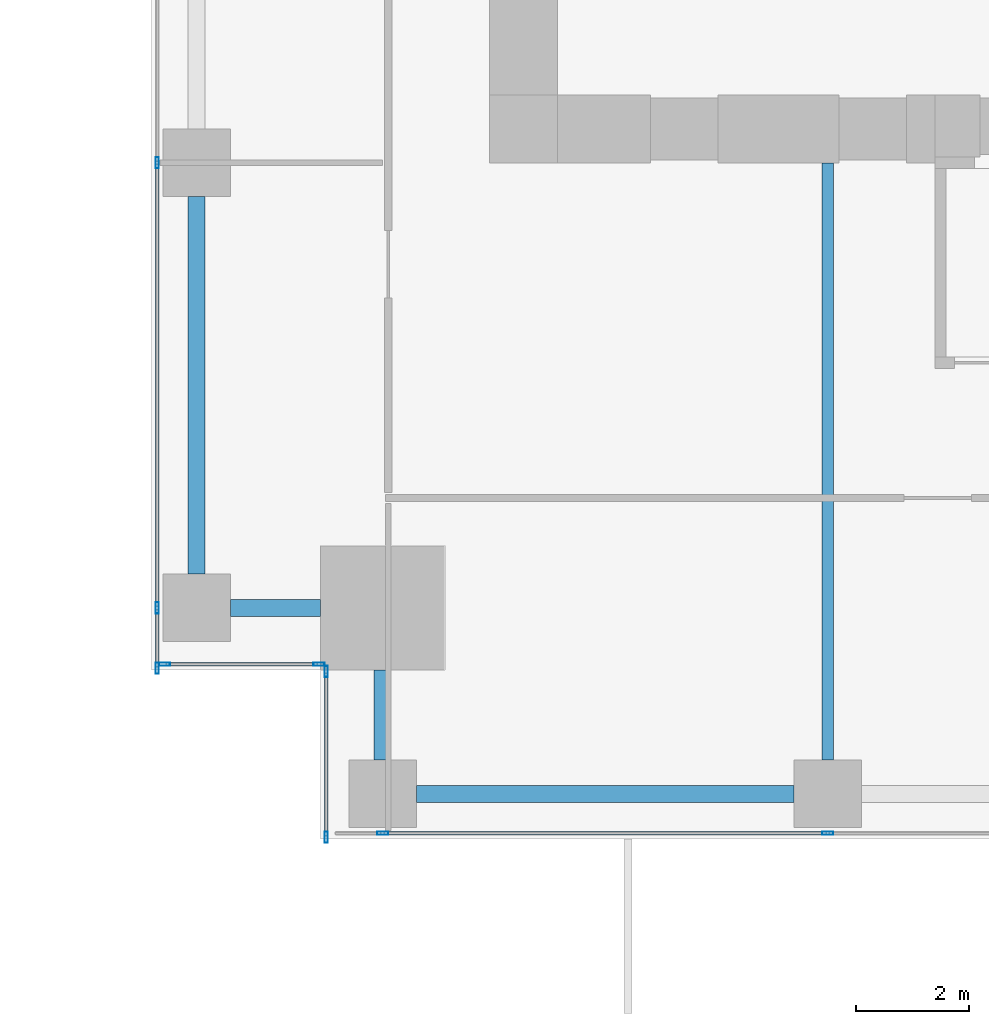
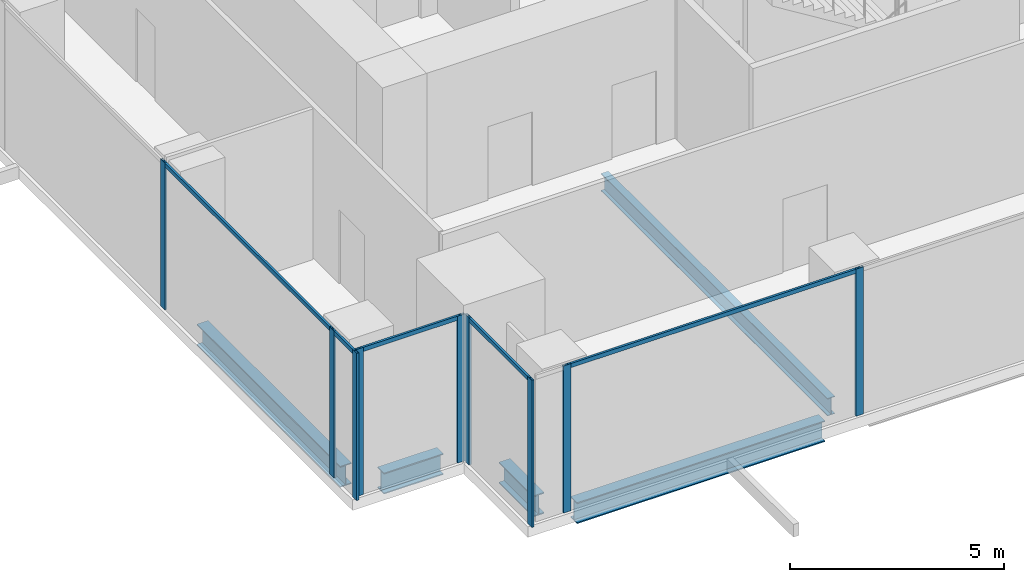
# One storey, part 2 of 33: 14 members, 5 beams, 4 elements without a shape of their own.
"""IFC4 building model written with IfcOpenShell, lengths in metres."""

from ifc_helpers import new_model, si_unit, direction, frame, origin, origin_2d, place, context, subcontext, project, spatial, hollow_rectangle, i_section, extrude, source, transform, mapped, material, material_profile, profile_set, type_object, element, aggregate, save


model = new_model("IFC4")

# Units and contexts
model_context = context("Model", 3, precision=1e-05, world=origin(), true_north=direction((0.0, 1.0)))
body_context = subcontext(model_context, "Body", "Model", "MODEL_VIEW")
ifc_project = project(units=[si_unit("LENGTHUNIT", "METRE"), si_unit("AREAUNIT", "SQUARE_METRE"), si_unit("VOLUMEUNIT", "CUBIC_METRE"), si_unit("PLANEANGLEUNIT", "RADIAN"), si_unit("MASSUNIT", "GRAM", prefix="KILO")], contexts=[model_context])

# Site, building, storey
site_placement = place(None, origin())
site = spatial("IfcSite", under=ifc_project, at=site_placement, CompositionType="ELEMENT")
building_placement = place(site_placement, origin())
building = spatial("IfcBuilding", under=site, at=building_placement, Name="Khomas Fold Tower", CompositionType="ELEMENT")
storey_placement = place(building_placement, frame((0.0, 0.0, 82.5)))
storey = spatial("IfcBuildingStorey", under=building, at=storey_placement, Name="L17", CompositionType="ELEMENT", Elevation=82.5)

# Beams
ifc_material_1 = material(Name="Steel S355", Category="steel")
ifc_material_profile_1 = material_profile(ifc_material_1, i_section(OverallWidth=0.199951171875, OverallDepth=0.5, WebThickness=0.01025390625, FlangeThickness=0.01611328125, at=origin_2d()), Name="IPE 500")
ifc_profile_set_1 = profile_set([ifc_material_profile_1], Name="Steel S355")
beam_type_1 = type_object("IfcBeamType", Name="IPE 500 beam JB5", PredefinedType="BEAM", material=ifc_profile_set_1)
shared_shape_1 = source(origin(), body_context, "Body", "SweptSolid", [
    extrude(i_section(OverallWidth=0.199951171875, OverallDepth=0.5, WebThickness=0.01025390625, FlangeThickness=0.01611328125, at=origin_2d()), origin(), (0.0, 0.0, 1.0), 10.60009765625),
])
beam_placement = place(storey_placement, frame((12.0, 1.39990234375, -0.550048828125), z_axis=(0.0, 1.0, 0.0), x_axis=(-1.0, 0.0, 0.0)))
element("IfcBeam", 1, at=beam_placement, inside=storey, type_object=beam_type_1, Name="JB5", PredefinedType="BEAM", context=body_context, shape_type="MappedRepresentation", body=[
    mapped(shared_shape_1, transform((0.0, 0.0, 0.0))),
])
ifc_material_2 = material(Name="Steel S355", Category="steel")
ifc_material_profile_2 = material_profile(ifc_material_2, i_section(OverallWidth=0.300048828125, OverallDepth=0.60009765625, WebThickness=0.015380859375, FlangeThickness=0.030029296875, at=origin_2d()), Name="HE 600 B")
ifc_profile_set_2 = profile_set([ifc_material_profile_2], Name="Steel S355")
beam_type_2 = type_object("IfcBeamType", Name="HE 600 B spandrel SB1", PredefinedType="SPANDREL", material=ifc_profile_set_2)
shared_shape_2 = source(origin(), body_context, "Body", "SweptSolid", [
    extrude(i_section(OverallWidth=0.300048828125, OverallDepth=0.60009765625, WebThickness=0.015380859375, FlangeThickness=0.030029296875, at=origin_2d()), origin(), (0.0, 0.0, 1.0), 6.699951171875),
])
for number, where, z_axis, x_axis, name in (
    (2, (4.699951171875, 0.800048828125, -0.60009765625), (1.0, 0.0, 0.0), (0.0, 1.0, 0.0), "SB1"),
    (3, (0.800048828125, 4.699951171875, -0.60009765625), (0.0, 1.0, 0.0), (-1.0, 0.0, 0.0), "SB1"),
):
    element("IfcBeam", number, at=place(storey_placement, frame(where, z_axis=z_axis, x_axis=x_axis)), inside=storey, type_object=beam_type_2, Name=name, PredefinedType="SPANDREL", context=body_context, shape_type="MappedRepresentation", body=[
        mapped(shared_shape_2, transform((0.0, 0.0, 0.0))),
    ])
shared_shape_3 = source(origin(), body_context, "Body", "SweptSolid", [
    extrude(i_section(OverallWidth=0.300048828125, OverallDepth=0.60009765625, WebThickness=0.015380859375, FlangeThickness=0.030029296875, at=origin_2d()), origin(), (0.0, 0.0, 1.0), 1.60009765625),
])
for number, where, z_axis, x_axis, name in (
    (4, (1.39990234375, 4.10009765625, -0.60009765625), (1.0, 0.0, 0.0), (0.0, 1.0, 0.0), "SB1"),
    (5, (4.10009765625, 1.39990234375, -0.60009765625), (0.0, 1.0, 0.0), (-1.0, 0.0, 0.0), "SB1"),
):
    element("IfcBeam", number, at=place(storey_placement, frame(where, z_axis=z_axis, x_axis=x_axis)), inside=storey, type_object=beam_type_2, Name=name, PredefinedType="SPANDREL", context=body_context, shape_type="MappedRepresentation", body=[
        mapped(shared_shape_3, transform((0.0, 0.0, 0.0))),
    ])

# Curtain wall, member
ifc_material_3 = material(Name="Aluminium framed double glazing", Category="aluminium")
curtain_wall_type = type_object("IfcCurtainWallType", Name="SK-Unitised clear-glass wall, growing floors CW1", PredefinedType="NOTDEFINED", material=ifc_material_3)
curtain_wall_1_placement = place(storey_placement, origin())
curtain_wall_1 = element("IfcCurtainWall", 6, at=curtain_wall_1_placement, inside=storey, type_object=curtain_wall_type, Name="CW1 run L17 00-0", PredefinedType="NOTDEFINED")
ifc_material_4 = material(Name="Aluminium", Category="aluminium")
ifc_material_profile_3 = material_profile(ifc_material_4, hollow_rectangle(XDim=0.06005859375, YDim=0.1201171875, WallThickness=0.00390625, at=origin_2d()), Name="SK-Unitised clear-glass wall, growing floors transom CW1-T")
ifc_profile_set_3 = profile_set([ifc_material_profile_3], Name="Aluminium")
member_type_1 = type_object("IfcMemberType", Name="SK-Unitised clear-glass wall, growing floors transom CW1-T", PredefinedType="USERDEFINED", material=ifc_profile_set_3)
shared_shape_4 = source(origin(), body_context, "Body", "SweptSolid", [
    extrude(hollow_rectangle(XDim=0.06005859375, YDim=0.1201171875, WallThickness=0.00390625, at=origin_2d()), origin(), (0.0, 0.0, 1.0), 7.840087890625),
])
member_1_placement = place(storey_placement, frame((4.1298828125, 0.10009765625, 4.139892578125), z_axis=(1.0, 0.0, 0.0), x_axis=(0.0, 1.0, 0.0)))
member_1 = element("IfcMember", 7, at=member_1_placement, type_object=member_type_1, Name="CW1 transom 2", ObjectType="TRANSOM", PredefinedType="USERDEFINED", context=body_context, shape_type="MappedRepresentation", body=[
    mapped(shared_shape_4, transform((0.0, 0.0, 0.0))),
])

# Curtain wall, members
curtain_wall_2_placement = place(storey_placement, origin())
curtain_wall_2 = element("IfcCurtainWall", 8, at=curtain_wall_2_placement, inside=storey, type_object=curtain_wall_type, Name="CW1 run L17 09-0", PredefinedType="NOTDEFINED")
member_2_placement = place(storey_placement, frame((0.10009765625, 11.969970703125, 4.139892578125), z_axis=(0.0, -1.0, 0.0), x_axis=(1.0, 0.0, 0.0)))
member_2 = element("IfcMember", 9, at=member_2_placement, type_object=member_type_1, Name="CW1 transom 7", ObjectType="TRANSOM", PredefinedType="USERDEFINED", context=body_context, shape_type="MappedRepresentation", body=[
    mapped(shared_shape_4, transform((0.0, 0.0, 0.0))),
])
shared_shape_5 = source(origin(), body_context, "Body", "SweptSolid", [
    extrude(hollow_rectangle(XDim=0.06005859375, YDim=0.1201171875, WallThickness=0.00390625, at=origin_2d()), origin(), (0.0, 0.0, 1.0), 1.010009765625),
])
member_3_placement = place(storey_placement, frame((0.10009765625, 4.070068359375, 4.139892578125), z_axis=(0.0, -1.0, 0.0), x_axis=(1.0, 0.0, 0.0)))
member_3 = element("IfcMember", 10, at=member_3_placement, type_object=member_type_1, Name="CW1 transom 8", ObjectType="TRANSOM", PredefinedType="USERDEFINED", context=body_context, shape_type="MappedRepresentation", body=[
    mapped(shared_shape_5, transform((0.0, 0.0, 0.0))),
])

# Curtain wall, member
curtain_wall_3_placement = place(storey_placement, origin())
curtain_wall_3 = element("IfcCurtainWall", 11, at=curtain_wall_3_placement, inside=storey, type_object=curtain_wall_type, Name="CW1 corner return L17 10", PredefinedType="NOTDEFINED")
shared_shape_6 = source(origin(), body_context, "Body", "SweptSolid", [
    extrude(hollow_rectangle(XDim=0.06005859375, YDim=0.1201171875, WallThickness=0.00390625, at=origin_2d()), origin(), (0.0, 0.0, 1.0), 2.679931640625),
])
member_4_placement = place(storey_placement, frame((0.260009765625, 3.10009765625, 4.139892578125), z_axis=(1.0, 0.0, 0.0), x_axis=(0.0, 1.0, 0.0)))
member_4 = element("IfcMember", 12, at=member_4_placement, type_object=member_type_1, Name="CW1 transom 1", ObjectType="TRANSOM", PredefinedType="USERDEFINED", context=body_context, shape_type="MappedRepresentation", body=[
    mapped(shared_shape_6, transform((0.0, 0.0, 0.0))),
])

curtain_wall_4_placement = place(storey_placement, origin())
curtain_wall_4 = element("IfcCurtainWall", 13, at=curtain_wall_4_placement, inside=storey, type_object=curtain_wall_type, Name="CW1 corner return L17 11", PredefinedType="NOTDEFINED")
shared_shape_7 = source(origin(), body_context, "Body", "SweptSolid", [
    extrude(hollow_rectangle(XDim=0.06005859375, YDim=0.1201171875, WallThickness=0.00390625, at=origin_2d()), origin(), (0.0, 0.0, 1.0), 2.8798828125),
])
member_5_placement = place(storey_placement, frame((3.10009765625, 2.93994140625, 4.139892578125), z_axis=(0.0, -1.0, 0.0), x_axis=(1.0, 0.0, 0.0)))
member_5 = element("IfcMember", 14, at=member_5_placement, type_object=member_type_1, Name="CW1 transom 1", ObjectType="TRANSOM", PredefinedType="USERDEFINED", context=body_context, shape_type="MappedRepresentation", body=[
    mapped(shared_shape_7, transform((0.0, 0.0, 0.0))),
])

# Member
ifc_material_5 = material(Name="Aluminium", Category="aluminium")
ifc_material_profile_4 = material_profile(ifc_material_5, hollow_rectangle(XDim=0.06005859375, YDim=0.199951171875, WallThickness=0.00390625, at=origin_2d()), Name="SK-Unitised clear-glass wall, growing floors mullion CW1-M")
ifc_profile_set_4 = profile_set([ifc_material_profile_4], Name="Aluminium")
member_type_2 = type_object("IfcMemberType", Name="SK-Unitised clear-glass wall, growing floors mullion CW1-M", PredefinedType="MULLION", material=ifc_profile_set_4)
shared_shape_8 = source(origin(), body_context, "Body", "SweptSolid", [
    extrude(hollow_rectangle(XDim=0.06005859375, YDim=0.199951171875, WallThickness=0.00390625, at=origin_2d()), origin(), (0.0, 0.0, 1.0), 4.199951171875),
])
member_6_placement = place(storey_placement, frame((4.10009765625, 0.10009765625, 0.0), z_axis=(0.0, 0.0, 1.0), x_axis=(0.0, 1.0, 0.0)))
member_6 = element("IfcMember", 15, at=member_6_placement, type_object=member_type_2, Name="CW1 mullion 2", PredefinedType="MULLION", context=body_context, shape_type="MappedRepresentation", body=[
    mapped(shared_shape_8, transform((0.0, 0.0, 0.0))),
])

member_7_placement = place(storey_placement, frame((12.0, 0.10009765625, 0.0), z_axis=(0.0, 0.0, 1.0), x_axis=(0.0, 1.0, 0.0)))
member_7 = element("IfcMember", 16, at=member_7_placement, type_object=member_type_2, Name="CW1 mullion 3", PredefinedType="MULLION", context=body_context, shape_type="MappedRepresentation", body=[
    mapped(shared_shape_8, transform((0.0, 0.0, 0.0))),
])

aggregate(curtain_wall_1, [member_6, member_7, member_1])

member_8_placement = place(storey_placement, frame((0.10009765625, 12.0, 0.0), z_axis=(0.0, 0.0, 1.0), x_axis=(1.0, 0.0, 0.0)))
member_8 = element("IfcMember", 17, at=member_8_placement, type_object=member_type_2, Name="CW1 mullion 7", PredefinedType="MULLION", context=body_context, shape_type="MappedRepresentation", body=[
    mapped(shared_shape_8, transform((0.0, 0.0, 0.0))),
])

member_9_placement = place(storey_placement, frame((0.10009765625, 4.10009765625, 0.0), z_axis=(0.0, 0.0, 1.0), x_axis=(1.0, 0.0, 0.0)))
member_9 = element("IfcMember", 18, at=member_9_placement, type_object=member_type_2, Name="CW1 mullion 8", PredefinedType="MULLION", context=body_context, shape_type="MappedRepresentation", body=[
    mapped(shared_shape_8, transform((0.0, 0.0, 0.0))),
])

member_10_placement = place(storey_placement, frame((0.10009765625, 3.030029296875, 0.0), z_axis=(0.0, 0.0, 1.0), x_axis=(1.0, 0.0, 0.0)))
member_10 = element("IfcMember", 19, at=member_10_placement, type_object=member_type_2, Name="CW1 mullion 9", PredefinedType="MULLION", context=body_context, shape_type="MappedRepresentation", body=[
    mapped(shared_shape_8, transform((0.0, 0.0, 0.0))),
])

aggregate(curtain_wall_2, [member_8, member_9, member_10, member_2, member_3])

member_11_placement = place(storey_placement, frame((0.22998046875, 3.10009765625, 0.0), z_axis=(0.0, 0.0, 1.0), x_axis=(0.0, 1.0, 0.0)))
member_11 = element("IfcMember", 20, at=member_11_placement, type_object=member_type_2, Name="CW1 mullion 1", PredefinedType="MULLION", context=body_context, shape_type="MappedRepresentation", body=[
    mapped(shared_shape_8, transform((0.0, 0.0, 0.0))),
])

member_12_placement = place(storey_placement, frame((2.969970703125, 3.10009765625, 0.0), z_axis=(0.0, 0.0, 1.0), x_axis=(0.0, 1.0, 0.0)))
member_12 = element("IfcMember", 21, at=member_12_placement, type_object=member_type_2, Name="CW1 mullion 2", PredefinedType="MULLION", context=body_context, shape_type="MappedRepresentation", body=[
    mapped(shared_shape_8, transform((0.0, 0.0, 0.0))),
])

aggregate(curtain_wall_3, [member_11, member_12, member_4])

member_13_placement = place(storey_placement, frame((3.10009765625, 2.969970703125, 0.0), z_axis=(0.0, 0.0, 1.0), x_axis=(1.0, 0.0, 0.0)))
member_13 = element("IfcMember", 22, at=member_13_placement, type_object=member_type_2, Name="CW1 mullion 1", PredefinedType="MULLION", context=body_context, shape_type="MappedRepresentation", body=[
    mapped(shared_shape_8, transform((0.0, 0.0, 0.0))),
])

member_14_placement = place(storey_placement, frame((3.10009765625, 0.030029296875, 0.0), z_axis=(0.0, 0.0, 1.0), x_axis=(1.0, 0.0, 0.0)))
member_14 = element("IfcMember", 23, at=member_14_placement, type_object=member_type_2, Name="CW1 mullion 2", PredefinedType="MULLION", context=body_context, shape_type="MappedRepresentation", body=[
    mapped(shared_shape_8, transform((0.0, 0.0, 0.0))),
])

aggregate(curtain_wall_4, [member_13, member_14, member_5])

save(model, "model.ifc")
